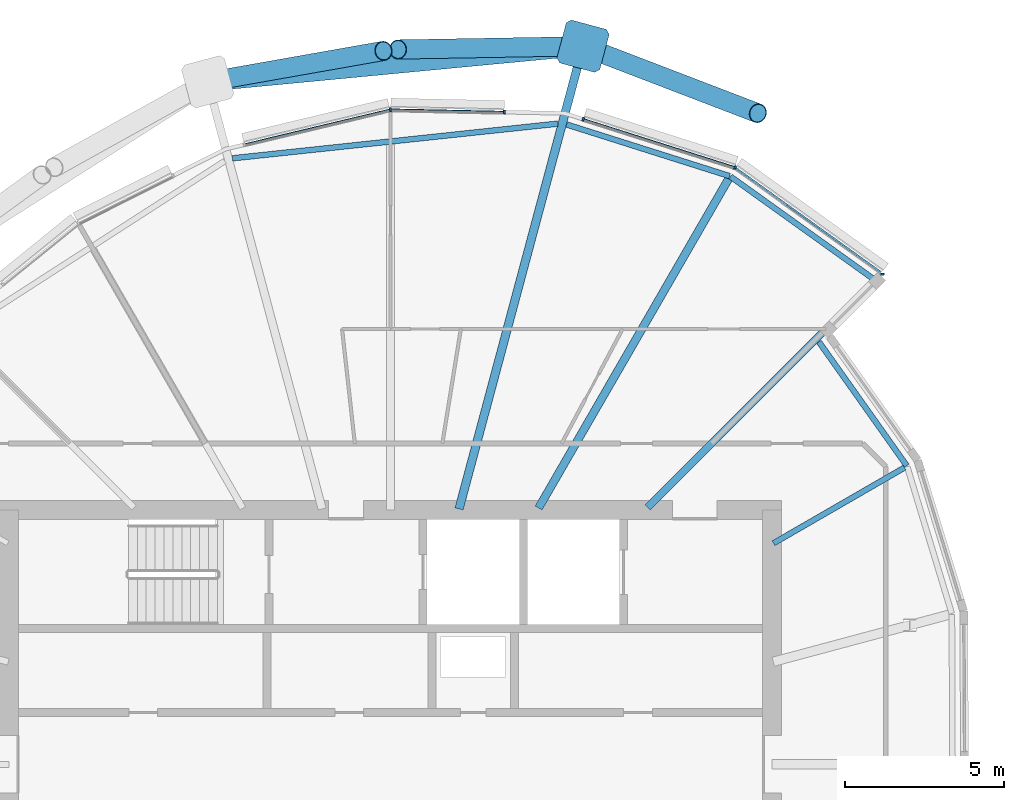
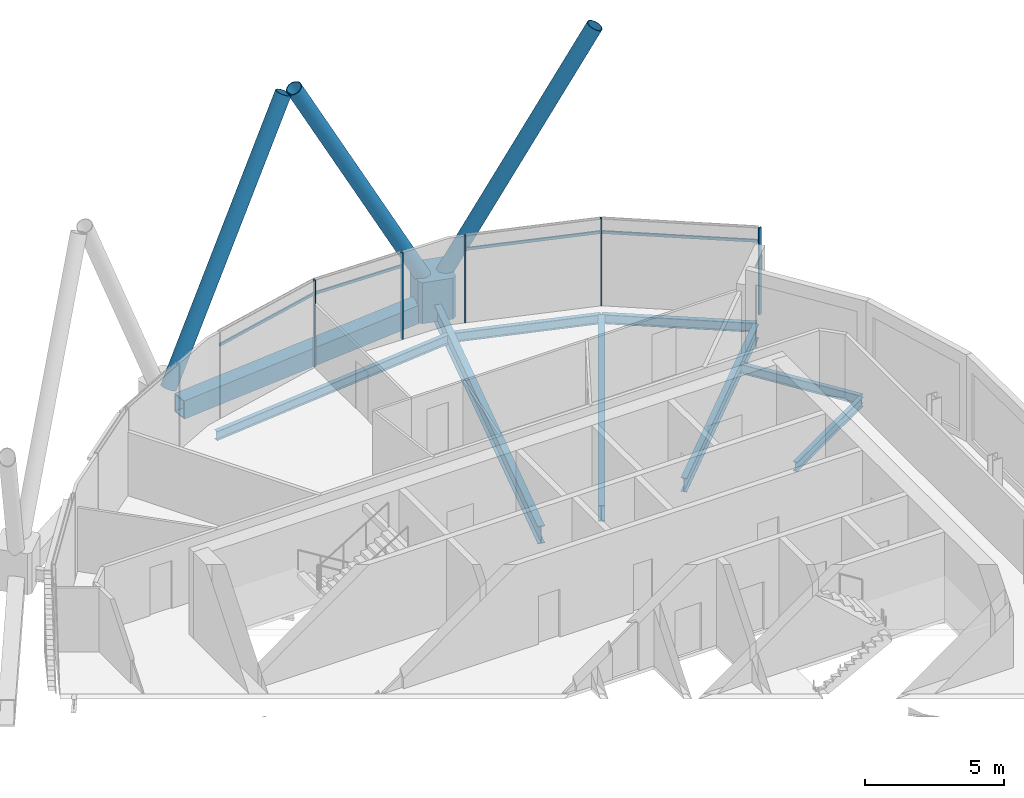
# One storey, part 19 of 35: 13 members, 9 beams, 1 element without a shape of its own.
"""IFC4 building model written with IfcOpenShell, lengths in metres."""

from ifc_helpers import new_model, si_unit, direction, frame, origin, origin_2d, place, context, subcontext, project, spatial, polyline, rectangle, hollow_rectangle, hollow_circle, i_section, outline, extrude, material, material_profile, profile_set, type_object, element, aggregate, save


model = new_model("IFC4")

# Units and contexts
model_context = context("Model", 3, precision=1e-05, world=origin(), true_north=direction((0.0, 1.0)))
body_context = subcontext(model_context, "Body", "Model", "MODEL_VIEW")
ifc_project = project(units=[si_unit("LENGTHUNIT", "METRE"), si_unit("AREAUNIT", "SQUARE_METRE"), si_unit("VOLUMEUNIT", "CUBIC_METRE"), si_unit("PLANEANGLEUNIT", "RADIAN"), si_unit("MASSUNIT", "GRAM", prefix="KILO")], contexts=[model_context])

# Site, building, storey
site_placement = place(None, origin())
site = spatial("IfcSite", under=ifc_project, at=site_placement, CompositionType="ELEMENT")
building_placement = place(site_placement, origin())
building = spatial("IfcBuilding", under=site, at=building_placement, Name="Rimbun Link Towers", CompositionType="ELEMENT")
storey_placement = place(building_placement, frame((0.0, 0.0, 181.699951171875)))
storey = spatial("IfcBuildingStorey", under=building, at=storey_placement, Name="L44", CompositionType="ELEMENT", Elevation=181.699951171875)

# Curtain wall, members
ifc_material_1 = material(Name="Aluminium 6063-T6 and low-iron glass", Category="aluminium")
curtain_wall_type = type_object("IfcCurtainWallType", Name="CW1-Z3 unitised vision wall (zone 3)", PredefinedType="NOTDEFINED", material=ifc_material_1)
curtain_wall_placement = place(storey_placement, origin())
curtain_wall = element("IfcCurtainWall", 1, at=curtain_wall_placement, inside=storey, type_object=curtain_wall_type, Name="CW1 L44 T2", PredefinedType="NOTDEFINED")
ifc_material_2 = material(Name="Aluminium 6063-T6", Category="aluminium")
ifc_material_profile_1 = material_profile(ifc_material_2, rectangle(XDim=0.1201171875, YDim=0.06005859375, at=origin_2d()), Name="MULLION 60X120")
ifc_profile_set_1 = profile_set([ifc_material_profile_1], Name="Aluminium 6063-T6")
member_type_1 = type_object("IfcMemberType", Name="CW1 mullion 60X120", PredefinedType="MULLION", material=ifc_profile_set_1)
member_1_placement = place(storey_placement, frame((42.585693359375, 18.775146484375, 0.0), z_axis=(0.0, 0.0, 1.0), x_axis=(0.448570265211, 0.893747569042, 0.0)))
member_1 = element("IfcMember", 2, at=member_1_placement, type_object=member_type_1, Name="CW1 mullion", PredefinedType="MULLION", context=body_context, shape_type="SweptSolid", body=[
    extrude(rectangle(XDim=0.1201171875, YDim=0.06005859375, at=origin_2d()), origin(), (0.0, 0.0, 1.0), 3.800048828125),
])
member_2_placement = place(storey_placement, frame((47.225341796875, 15.42041015625, 0.0), z_axis=(0.0, 0.0, 1.0), x_axis=(0.996682210404, 0.081391470465, 0.0)))
member_2 = element("IfcMember", 3, at=member_2_placement, type_object=member_type_1, Name="CW1 mullion", PredefinedType="MULLION", context=body_context, shape_type="SweptSolid", body=[
    extrude(rectangle(XDim=0.1201171875, YDim=0.06005859375, at=origin_2d()), origin(), (0.0, 0.0, 1.0), 3.800048828125),
])
member_3_placement = place(storey_placement, frame((37.811279296875, 20.294189453125, 0.0), z_axis=(0.0, 0.0, 1.0), x_axis=(0.303053318374, 0.95297360206, 0.0)))
member_3 = element("IfcMember", 4, at=member_3_placement, type_object=member_type_1, Name="CW1 mullion", PredefinedType="MULLION", context=body_context, shape_type="SweptSolid", body=[
    extrude(rectangle(XDim=0.1201171875, YDim=0.06005859375, at=origin_2d()), origin(), (0.0, 0.0, 1.0), 3.800048828125),
])
member_4_placement = place(storey_placement, frame((31.74365234375, 20.59375, 0.0), z_axis=(0.0, 0.0, 1.0), x_axis=(-0.10663447407, 0.99429828972, 0.0)))
member_4 = element("IfcMember", 5, at=member_4_placement, type_object=member_type_1, Name="CW1 mullion", PredefinedType="MULLION", context=body_context, shape_type="SweptSolid", body=[
    extrude(rectangle(XDim=0.1201171875, YDim=0.06005859375, at=origin_2d()), origin(), (0.0, 0.0, 1.0), 3.800048828125),
])
member_5_placement = place(storey_placement, frame((35.322998046875, 20.518798828125, 0.0), z_axis=(0.0, 0.0, 1.0), x_axis=(0.02106930936, 0.999778017463, 0.0)))
member_5 = element("IfcMember", 6, at=member_5_placement, type_object=member_type_1, Name="CW1 mullion", PredefinedType="MULLION", context=body_context, shape_type="SweptSolid", body=[
    extrude(rectangle(XDim=0.1201171875, YDim=0.06005859375, at=origin_2d()), origin(), (0.0, 0.0, 1.0), 3.800048828125),
])
ifc_material_3 = material(Name="Aluminium 6063-T6", Category="aluminium")
ifc_material_profile_2 = material_profile(ifc_material_3, rectangle(XDim=0.06005859375, YDim=0.1201171875, at=origin_2d()), Name="TRANSOM 60X120")
ifc_profile_set_2 = profile_set([ifc_material_profile_2], Name="Aluminium 6063-T6")
member_type_2 = type_object("IfcMemberType", Name="CW1 transom 60X120", PredefinedType="USERDEFINED", material=ifc_profile_set_2)
member_6_placement = place(storey_placement, frame((42.616943359375, 18.7509765625, 3.199951171875), z_axis=(0.812470137953, -0.583002808685, 0.0), x_axis=(0.583002808685, 0.812470137953, 0.0)))
member_6 = element("IfcMember", 7, at=member_6_placement, type_object=member_type_2, Name="CW1 transom", ObjectType="TRANSOM", PredefinedType="USERDEFINED", context=body_context, shape_type="SweptSolid", body=[
    extrude(rectangle(XDim=0.06005859375, YDim=0.1201171875, at=origin_2d()), origin(), (0.0, 0.0, 1.0), 5.610107421875),
])
member_7_placement = place(storey_placement, frame((37.839111328125, 20.283203125, 3.199951171875), z_axis=(0.952965355293, -0.303079249721, 0.0), x_axis=(0.303079249721, 0.952965355293, 0.0)))
member_7 = element("IfcMember", 8, at=member_7_placement, type_object=member_type_2, Name="CW1 transom", ObjectType="TRANSOM", PredefinedType="USERDEFINED", context=body_context, shape_type="SweptSolid", body=[
    extrude(rectangle(XDim=0.06005859375, YDim=0.1201171875, at=origin_2d()), origin(), (0.0, 0.0, 1.0), 4.941162109375),
])
member_8_placement = place(storey_placement, frame((31.78125, 20.591552734375, 3.199951171875), z_axis=(0.999776739259, -0.021129875468, 0.0), x_axis=(0.021129875468, 0.999776739259, 0.0)))
member_8 = element("IfcMember", 9, at=member_8_placement, type_object=member_type_2, Name="CW1 transom", ObjectType="TRANSOM", PredefinedType="USERDEFINED", context=body_context, shape_type="SweptSolid", body=[
    extrude(rectangle(XDim=0.06005859375, YDim=0.1201171875, at=origin_2d()), origin(), (0.0, 0.0, 1.0), 3.512451171875),
])
member_9_placement = place(storey_placement, frame((27.178466796875, 19.50048828125, 3.199951171875), z_axis=(0.972577344747, 0.232579682011, 0.0), x_axis=(-0.232579682011, 0.972577344747, 0.0)))
member_9 = element("IfcMember", 10, at=member_9_placement, type_object=member_type_2, Name="CW1 transom", ObjectType="TRANSOM", PredefinedType="USERDEFINED", context=body_context, shape_type="SweptSolid", body=[
    extrude(rectangle(XDim=0.06005859375, YDim=0.1201171875, at=origin_2d()), origin(), (0.0, 0.0, 1.0), 4.656494140625),
])
aggregate(curtain_wall, [member_1, member_2, member_3, member_4, member_5, member_6, member_7, member_8, member_9])

# Members
ifc_material_4 = material(Name="Steel S355J2H", Category="steel")
ifc_material_profile_3 = material_profile(ifc_material_4, hollow_circle(Radius=0.3046875, WallThickness=0.02490234375, at=origin_2d()), Name="Diagrid diagonal CHS 610x25")
ifc_profile_set_3 = profile_set([ifc_material_profile_3], Name="Steel S355J2H")
member_type_3 = type_object("IfcMemberType", Name="Diagrid diagonal CHS 610x25", PredefinedType="BRACE", material=ifc_profile_set_3)
member_10_placement = place(storey_placement, frame((38.024658203125, 22.50732421875, 0.4404296875), z_axis=(0.442151641945, -0.169563008319, 0.880766888419), x_axis=(0.358067734967, 0.9336956127, 0.0)))
element("IfcMember", 11, at=member_10_placement, inside=storey, type_object=member_type_3, Name="Diagrid diagonal T2 L44-L47 02a", PredefinedType="BRACE", context=body_context, shape_type="SweptSolid", body=[
    extrude(hollow_circle(Radius=0.3046875, WallThickness=0.02490234375, at=origin_2d()), origin(), (0.0, 0.0, 1.0), 11.943359375),
])
member_11_placement = place(storey_placement, frame((37.569091796875, 22.588134765625, 0.441650390625), z_axis=(-0.468968654687, -0.008303414582, 0.88317577765), x_axis=(0.017702917412, -0.999843291079, 0.0)))
element("IfcMember", 12, at=member_11_placement, inside=storey, type_object=member_type_3, Name="Diagrid diagonal T2 L44-L47 02b", PredefinedType="BRACE", context=body_context, shape_type="SweptSolid", body=[
    extrude(hollow_circle(Radius=0.3046875, WallThickness=0.02490234375, at=origin_2d()), origin(), (0.0, 0.0, 1.0), 11.907958984375),
])
member_12_placement = place(storey_placement, frame((26.221435546875, 21.510498046875, 0.445068359375), z_axis=(0.449122448112, 0.079177858516, 0.889954995111), x_axis=(-0.173617242068, 0.984813207292, 0.0)))
element("IfcMember", 13, at=member_12_placement, inside=storey, type_object=member_type_3, Name="Diagrid diagonal T2 L44-L47 04a", PredefinedType="BRACE", context=body_context, shape_type="SweptSolid", body=[
    extrude(hollow_circle(Radius=0.3046875, WallThickness=0.02490234375, at=origin_2d()), origin(), (0.0, 0.0, 1.0), 11.8095703125),
])
ifc_material_5 = material(Name="Cast steel G20Mn5+QT, Rp0.2 300 MPa", Category="steel")
ifc_material_profile_4 = material_profile(ifc_material_5, outline(polyline([(0.699951171875, -0.570068359375), (0.699951171875, 0.570068359375), (0.570068359375, 0.699951171875), (-0.570068359375, 0.699951171875), (-0.699951171875, 0.570068359375), (-0.699951171875, -0.570068359375), (-0.570068359375, -0.699951171875), (0.570068359375, -0.699951171875), (0.699951171875, -0.570068359375)])), Name="NODE 1400x1400")
ifc_profile_set_4 = profile_set([ifc_material_profile_4], Name="Cast steel G20Mn5+QT, Rp0.2 300 MPa")
member_type_4 = type_object("IfcMemberType", Name="Diagrid node cast 1400", PredefinedType="USERDEFINED", material=ifc_profile_set_4)
member_13_placement = place(storey_placement, frame((37.8037109375, 22.59228515625, -0.89990234375), z_axis=(0.0, 0.0, 1.0), x_axis=(0.258819045103, 0.965925826289, 0.0)))
element("IfcMember", 14, at=member_13_placement, inside=storey, type_object=member_type_4, Name="Diagrid node L44 02", ObjectType="Diagrid node", PredefinedType="USERDEFINED", context=body_context, shape_type="SweptSolid", body=[
    extrude(outline(polyline([(0.699951171875, -0.570068359375), (0.699951171875, 0.570068359375), (0.570068359375, 0.699951171875), (-0.570068359375, 0.699951171875), (-0.699951171875, 0.570068359375), (-0.699951171875, -0.570068359375), (-0.570068359375, -0.699951171875), (0.570068359375, -0.699951171875), (0.699951171875, -0.570068359375)])), origin(), (0.0, 0.0, 1.0), 1.800048828125),
])

# Beams
ifc_material_6 = material(Name="Steel S355J2", Category="steel")
ifc_material_profile_5 = material_profile(ifc_material_6, hollow_rectangle(XDim=0.60009765625, YDim=0.800048828125, WallThickness=0.0400390625, at=origin_2d()), Name="Exoskeleton ring girder BOX 600x800x40")
ifc_profile_set_5 = profile_set([ifc_material_profile_5], Name="Steel S355J2")
beam_type_1 = type_object("IfcBeamType", Name="Exoskeleton ring girder BOX 600x800x40", PredefinedType="BEAM", material=ifc_profile_set_5)
beam_1_placement = place(storey_placement, frame((37.106689453125, 22.52587890625, -0.56005859375), z_axis=(-0.995521869674, -0.094531513263, 0.0), x_axis=(0.094531513263, -0.995521869674, 0.0)))
element("IfcBeam", 15, at=beam_1_placement, inside=storey, type_object=beam_type_1, Name="Exoskeleton ring girder L44 00", PredefinedType="BEAM", context=body_context, shape_type="SweptSolid", body=[
    extrude(hollow_rectangle(XDim=0.60009765625, YDim=0.800048828125, WallThickness=0.0400390625, at=origin_2d()), origin(), (0.0, 0.0, 1.0), 10.459716796875),
])
ifc_material_7 = material(Name="Steel S355J2", Category="steel")
ifc_material_profile_6 = material_profile(ifc_material_7, i_section(OverallWidth=0.177978515625, OverallDepth=0.406494140625, WebThickness=0.0078125, FlangeThickness=0.0126953125, at=origin_2d()), Name="UB 406x178x60")
ifc_profile_set_6 = profile_set([ifc_material_profile_6], Name="Steel S355J2")
beam_type_2 = type_object("IfcBeamType", Name="UB 406x178x60", PredefinedType="BEAM", material=ifc_profile_set_6)
beam_2_placement = place(storey_placement, frame((43.79541015625, 6.954345703125, -0.353271484375), z_axis=(0.866016540383, 0.500015351548, 0.0), x_axis=(-0.500015351548, 0.866016540383, 0.0)))
element("IfcBeam", 16, at=beam_2_placement, inside=storey, type_object=beam_type_2, Name="Radial beam T2 L44 23", PredefinedType="BEAM", context=body_context, shape_type="SweptSolid", body=[
    extrude(i_section(OverallWidth=0.177978515625, OverallDepth=0.406494140625, WebThickness=0.0078125, FlangeThickness=0.0126953125, at=origin_2d()), origin(), (0.0, 0.0, 1.0), 4.761962890625),
])
beam_3_placement = place(storey_placement, frame((46.985595703125, 15.237060546875, -0.353271484375), z_axis=(-0.812947439781, 0.582337067473, 0.0), x_axis=(-0.582337067473, -0.812947439781, 0.0)))
element("IfcBeam", 17, at=beam_3_placement, inside=storey, type_object=beam_type_2, Name="Edge beam T2 L44 00", PredefinedType="BEAM", context=body_context, shape_type="SweptSolid", body=[
    extrude(i_section(OverallWidth=0.177978515625, OverallDepth=0.406494140625, WebThickness=0.0078125, FlangeThickness=0.0126953125, at=origin_2d()), origin(), (0.0, 0.0, 1.0), 5.587646484375),
])
beam_4_placement = place(storey_placement, frame((42.41650390625, 18.50439453125, -0.353271484375), z_axis=(-0.953365727699, 0.301817476711, 0.0), x_axis=(-0.301817476711, -0.953365727699, 0.0)))
element("IfcBeam", 18, at=beam_4_placement, inside=storey, type_object=beam_type_2, Name="Edge beam T2 L44 01", PredefinedType="BEAM", context=body_context, shape_type="SweptSolid", body=[
    extrude(i_section(OverallWidth=0.177978515625, OverallDepth=0.406494140625, WebThickness=0.0078125, FlangeThickness=0.0126953125, at=origin_2d()), origin(), (0.0, 0.0, 1.0), 5.380859375),
])
beam_5_placement = place(storey_placement, frame((37.011474609375, 20.15478515625, -0.353271484375), z_axis=(-0.994378824579, -0.105880844484, 0.0), x_axis=(0.105880844484, -0.994378824579, 0.0)))
element("IfcBeam", 19, at=beam_5_placement, inside=storey, type_object=beam_type_2, Name="Edge beam T2 L44 02-04", PredefinedType="BEAM", context=body_context, shape_type="SweptSolid", body=[
    extrude(i_section(OverallWidth=0.177978515625, OverallDepth=0.406494140625, WebThickness=0.0078125, FlangeThickness=0.0126953125, at=origin_2d()), origin(), (0.0, 0.0, 1.0), 10.29541015625),
])
beam_6_placement = place(storey_placement, frame((47.988525390625, 9.39306640625, -0.353271484375), z_axis=(-0.578533241405, 0.815658806481, 0.0), x_axis=(-0.815658806481, -0.578533241405, 0.0)))
element("IfcBeam", 20, at=beam_6_placement, inside=storey, type_object=beam_type_2, Name="Edge beam T2 L44 23 recess", PredefinedType="BEAM", context=body_context, shape_type="SweptSolid", body=[
    extrude(i_section(OverallWidth=0.177978515625, OverallDepth=0.406494140625, WebThickness=0.0078125, FlangeThickness=0.0126953125, at=origin_2d()), origin(), (0.0, 0.0, 1.0), 4.7783203125),
])
ifc_material_8 = material(Name="Steel S355J2", Category="steel")
ifc_material_profile_7 = material_profile(ifc_material_8, i_section(OverallWidth=0.2275390625, OverallDepth=0.6025390625, WebThickness=0.010498046875, FlangeThickness=0.014892578125, at=origin_2d()), Name="UB 610x229x101")
ifc_profile_set_7 = profile_set([ifc_material_profile_7], Name="Steel S355J2")
beam_type_3 = type_object("IfcBeamType", Name="UB 610x229x101", PredefinedType="BEAM", material=ifc_profile_set_7)
beam_7_placement = place(storey_placement, frame((39.831298828125, 8.081298828125, -0.451171875), z_axis=(0.707106781187, 0.707106781187, 0.0), x_axis=(-0.707106781187, 0.707106781187, 0.0)))
element("IfcBeam", 21, at=beam_7_placement, inside=storey, type_object=beam_type_3, Name="Radial beam T2 L44 00", PredefinedType="BEAM", context=body_context, shape_type="SweptSolid", body=[
    extrude(i_section(OverallWidth=0.2275390625, OverallDepth=0.6025390625, WebThickness=0.010498046875, FlangeThickness=0.014892578125, at=origin_2d()), origin(), (0.0, 0.0, 1.0), 10.02783203125),
])
ifc_material_9 = material(Name="Steel S355J2", Category="steel")
ifc_material_profile_8 = material_profile(ifc_material_9, i_section(OverallWidth=0.253662109375, OverallDepth=0.68359375, WebThickness=0.012451171875, FlangeThickness=0.01904296875, at=origin_2d()), Name="UB 686x254x140")
ifc_profile_set_8 = profile_set([ifc_material_profile_8], Name="Steel S355J2")
beam_type_4 = type_object("IfcBeamType", Name="UB 686x254x140", PredefinedType="BEAM", material=ifc_profile_set_8)
beam_8_placement = place(storey_placement, frame((36.406005859375, 8.064208984375, -0.49169921875), z_axis=(0.499992225123, 0.866029892565, 0.0), x_axis=(-0.866029892565, 0.499992225123, 0.0)))
element("IfcBeam", 22, at=beam_8_placement, inside=storey, type_object=beam_type_4, Name="Radial beam T2 L44 01", PredefinedType="BEAM", context=body_context, shape_type="SweptSolid", body=[
    extrude(i_section(OverallWidth=0.253662109375, OverallDepth=0.68359375, WebThickness=0.012451171875, FlangeThickness=0.01904296875, at=origin_2d()), origin(), (0.0, 0.0, 1.0), 11.959716796875),
])
ifc_material_10 = material(Name="Steel S355J2", Category="steel")
ifc_material_profile_9 = material_profile(ifc_material_10, i_section(OverallWidth=0.2666015625, OverallDepth=0.76220703125, WebThickness=0.014404296875, FlangeThickness=0.021484375, at=origin_2d()), Name="UB 762x267x173")
ifc_profile_set_9 = profile_set([ifc_material_profile_9], Name="Steel S355J2")
beam_type_5 = type_object("IfcBeamType", Name="UB 762x267x173", PredefinedType="BEAM", material=ifc_profile_set_9)
beam_9_placement = place(storey_placement, frame((33.903076171875, 8.035400390625, -0.531005859375), z_axis=(0.258831565346, 0.965922471413, 0.0), x_axis=(-0.965922471413, 0.258831565346, 0.0)))
element("IfcBeam", 23, at=beam_9_placement, inside=storey, type_object=beam_type_5, Name="Radial beam T2 L44 02", PredefinedType="BEAM", context=body_context, shape_type="SweptSolid", body=[
    extrude(i_section(OverallWidth=0.2666015625, OverallDepth=0.76220703125, WebThickness=0.014404296875, FlangeThickness=0.021484375, at=origin_2d()), origin(), (0.0, 0.0, 1.0), 14.5703125),
])

save(model, "model.ifc")
